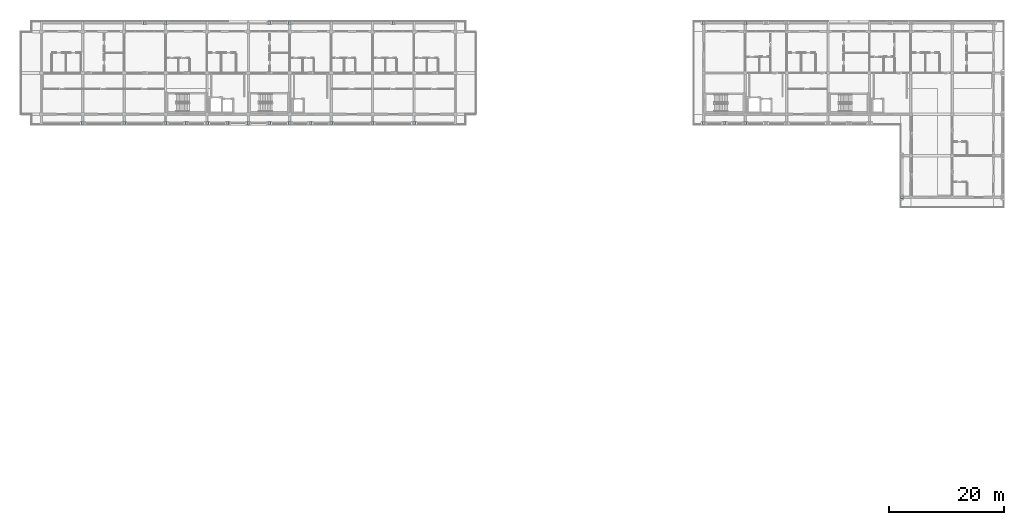
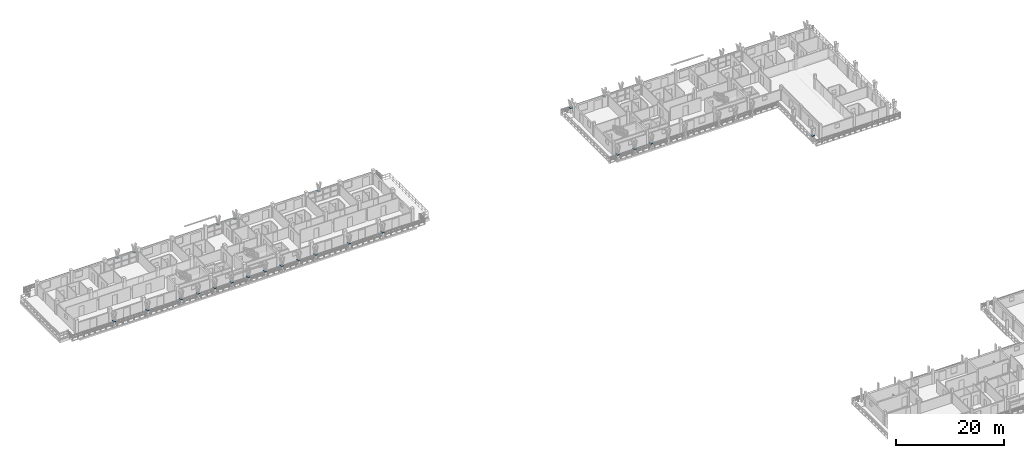
# One storey, part 29 of 56: 24 plates.
"""IFC4 building model written with IfcOpenShell, lengths in metres."""

from ifc_helpers import new_model, si_unit, direction, frame, origin, origin_2d, place, context, subcontext, project, spatial, rectangle, extrude, material, layer, layer_set, type_object, element, save


model = new_model("IFC4")

# Units and contexts
model_context = context("Model", 3, precision=1e-05, world=origin(), true_north=direction((0.0, 1.0)))
body_context = subcontext(model_context, "Body", "Model", "MODEL_VIEW")
ifc_project = project(units=[si_unit("LENGTHUNIT", "METRE"), si_unit("AREAUNIT", "SQUARE_METRE"), si_unit("VOLUMEUNIT", "CUBIC_METRE"), si_unit("PLANEANGLEUNIT", "RADIAN"), si_unit("MASSUNIT", "GRAM", prefix="KILO")], contexts=[model_context])

# Site, building, storey
site_placement = place(None, origin())
site = spatial("IfcSite", under=ifc_project, at=site_placement, CompositionType="ELEMENT")
building_placement = place(site_placement, origin())
building = spatial("IfcBuilding", under=site, at=building_placement, Name="Suanplinth Sawtooth Commons", CompositionType="ELEMENT")
storey_placement = place(building_placement, frame((0.0, 0.0, 34.800048828125)))
storey = spatial("IfcBuildingStorey", under=building, at=storey_placement, Name="L10", CompositionType="ELEMENT", Elevation=34.800048828125)

# Plates
ifc_material = material(Name="Pigmented precast concrete C40/50", Category="concrete")
ifc_layer = layer(ifc_material, 0.06005859375, Name="Precast Y-blade bifurcation node plate 60mm")
ifc_layer_set = layer_set([ifc_layer], Name="Pigmented precast concrete C40/50")
plate_type = type_object("IfcPlateType", Name="PL-04", PredefinedType="USERDEFINED", material=ifc_layer_set)
for number, where, z_axis, x_axis, name in (
    (1, (39.60009765625, 123.919921875, 1.119873046875), (0.0, 0.0, 1.0), (1.0, 0.0, 0.0), "Y-Blade Node Plate L10-A-N-01"),
    (2, (43.199951171875, 123.919921875, 1.119873046875), (0.0, 0.0, 1.0), (1.0, 0.0, 0.0), "Y-Blade Node Plate L10-A-N-02"),
    (3, (61.199951171875, 123.919921875, 1.119873046875), (0.0, 0.0, 1.0), (1.0, 0.0, 0.0), "Y-Blade Node Plate L10-A-N-03"),
    (4, (64.800048828125, 123.919921875, 1.119873046875), (0.0, 0.0, 1.0), (1.0, 0.0, 0.0), "Y-Blade Node Plate L10-A-N-04"),
    (5, (82.800048828125, 123.919921875, 1.119873046875), (0.0, 0.0, 1.0), (1.0, 0.0, 0.0), "Y-Blade Node Plate L10-A-N-05"),
    (6, (28.800048828125, 106.47998046875, 1.119873046875), (0.0, 0.0, 1.0), (1.0, 0.0, 0.0), "Y-Blade Node Plate L10-A-S-06"),
    (7, (36.0, 106.47998046875, 1.119873046875), (0.0, 0.0, 1.0), (1.0, 0.0, 0.0), "Y-Blade Node Plate L10-A-S-07"),
    (8, (43.199951171875, 106.47998046875, 1.119873046875), (0.0, 0.0, 1.0), (1.0, 0.0, 0.0), "Y-Blade Node Plate L10-A-S-08"),
    (9, (46.800048828125, 106.47998046875, 1.119873046875), (0.0, 0.0, 1.0), (1.0, 0.0, 0.0), "Y-Blade Node Plate L10-A-S-09"),
    (10, (50.39990234375, 106.47998046875, 1.119873046875), (0.0, 0.0, 1.0), (1.0, 0.0, 0.0), "Y-Blade Node Plate L10-A-S-10"),
    (11, (54.0, 106.47998046875, 1.119873046875), (0.0, 0.0, 1.0), (1.0, 0.0, 0.0), "Y-Blade Node Plate L10-A-S-11"),
    (12, (57.60009765625, 106.47998046875, 1.119873046875), (0.0, 0.0, 1.0), (1.0, 0.0, 0.0), "Y-Blade Node Plate L10-A-S-12"),
    (13, (61.199951171875, 106.47998046875, 1.119873046875), (0.0, 0.0, 1.0), (1.0, 0.0, 0.0), "Y-Blade Node Plate L10-A-S-13"),
    (14, (64.800048828125, 106.47998046875, 1.119873046875), (0.0, 0.0, 1.0), (1.0, 0.0, 0.0), "Y-Blade Node Plate L10-A-S-14"),
    (15, (68.39990234375, 106.47998046875, 1.119873046875), (0.0, 0.0, 1.0), (1.0, 0.0, 0.0), "Y-Blade Node Plate L10-A-S-15"),
    (16, (72.0, 106.47998046875, 1.119873046875), (0.0, 0.0, 1.0), (1.0, 0.0, 0.0), "Y-Blade Node Plate L10-A-S-16"),
    (17, (79.199951171875, 106.47998046875, 1.119873046875), (0.0, 0.0, 1.0), (1.0, 0.0, 0.0), "Y-Blade Node Plate L10-A-S-17"),
    (18, (86.39990234375, 106.47998046875, 1.119873046875), (0.0, 0.0, 1.0), (1.0, 0.0, 0.0), "Y-Blade Node Plate L10-A-S-18"),
    (19, (136.800048828125, 123.919921875, 1.119873046875), (0.0, 0.0, 1.0), (1.0, 0.0, 0.0), "Y-Blade Node Plate L10-B-N-01"),
    (20, (144.0, 123.919921875, 1.119873046875), (0.0, 0.0, 1.0), (1.0, 0.0, 0.0), "Y-Blade Node Plate L10-B-N-02"),
    (21, (136.800048828125, 106.47998046875, 1.119873046875), (0.0, 0.0, 1.0), (1.0, 0.0, 0.0), "Y-Blade Node Plate L10-B-SC-13"),
    (22, (140.39990234375, 106.47998046875, 1.119873046875), (0.0, 0.0, 1.0), (1.0, 0.0, 0.0), "Y-Blade Node Plate L10-B-SC-14"),
    (23, (144.0, 106.47998046875, 1.119873046875), (0.0, 0.0, 1.0), (1.0, 0.0, 0.0), "Y-Blade Node Plate L10-B-SC-15"),
    (24, (171.280029296875, 93.60009765625, 1.119873046875), (0.0, 0.0, 1.0), (0.0, 1.0, 0.0), "Y-Blade Node Plate L10-B-WC-21"),
):
    element("IfcPlate", number, at=place(storey_placement, frame(where, z_axis=z_axis, x_axis=x_axis)), inside=storey, type_object=plate_type, Name=name, ObjectType="GUSSET PLATE", PredefinedType="USERDEFINED", context=body_context, shape_type="SweptSolid", body=[
        extrude(rectangle(XDim=0.43994140625, YDim=0.550048828125, at=origin_2d()), origin(), (0.0, 0.0, 1.0), 0.06005859375),
    ])

save(model, "model.ifc")
